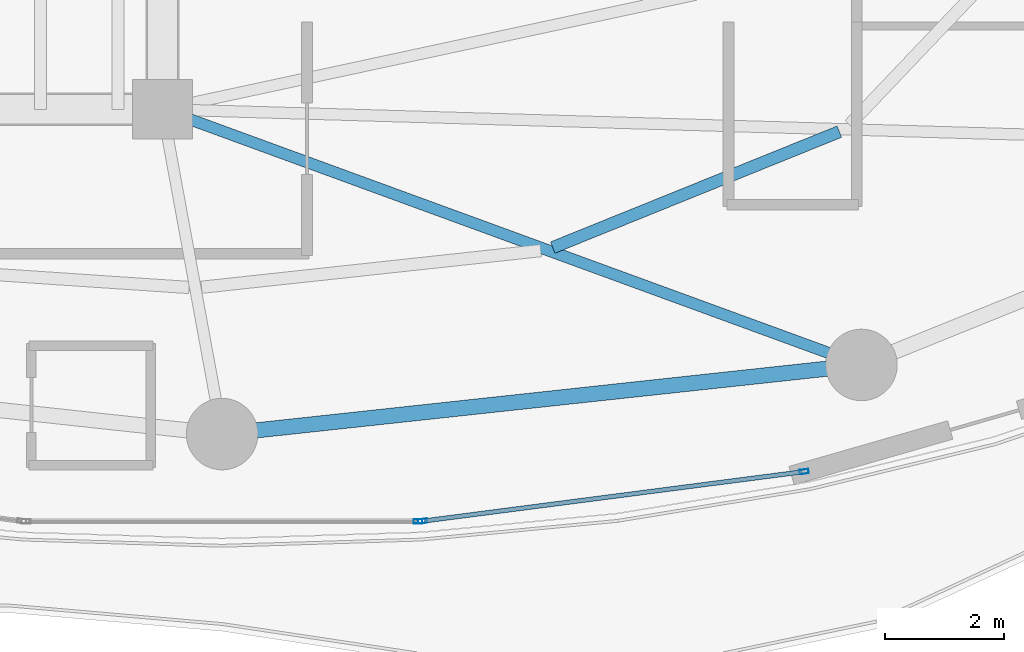
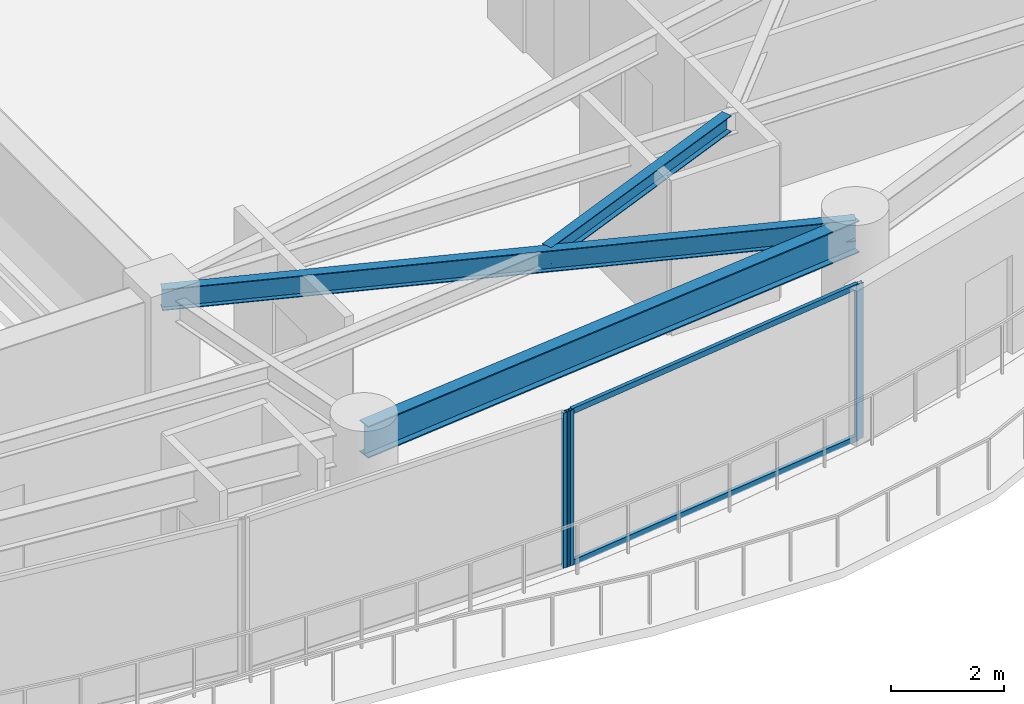
# One storey, part 9 of 28: 5 members, 3 beams, 2 elements without a shape of their own.
"""IFC4 building model written with IfcOpenShell, lengths in metres."""

import ifcopenshell
import ifcopenshell.guid

model = None  # the IFC model being written
_history = None  # IfcOwnerHistory: only IFC2X3 demands one
_inside = {}  # id of a spatial element -> (the spatial element, [elements in it])
_under = {}  # id of a project, library or spatial element -> (it, [spatial elements below it])
_declared = {}  # id of a project -> (the project, [libraries it declares])
_typed = {}  # id of a type object -> (the type object, [elements of that type])
_made_of = {}  # id of a material, layer set ... -> (it, [elements and type objects made of it])


def new_model(schema):
    """Start an empty IFC model of exactly this schema.

    Asked for "IFC4X3", IfcOpenShell would pick the latest addendum, in which some entities
    have other attributes; the version numbers below select the first issue.
    IFC2X3 requires an IfcOwnerHistory on every rooted entity: one is made here for all.
    """
    global model, _history
    if schema == "IFC4X3":
        model = ifcopenshell.file(schema_version=(4, 3, 0, 0))
    else:
        model = ifcopenshell.file(schema=schema)
    _inside.clear()
    _under.clear()
    _declared.clear()
    _typed.clear()
    _made_of.clear()
    _history = None
    if model.schema == "IFC2X3":
        org = make("IfcOrganization", Name="unknown")
        user = make(
            "IfcPersonAndOrganization",
            ThePerson=make("IfcPerson", FamilyName="unknown"),
            TheOrganization=org,
        )
        app = make(
            "IfcApplication",
            ApplicationDeveloper=org,
            Version="unknown",
            ApplicationFullName="unknown",
            ApplicationIdentifier="unknown",
        )
        _history = make(
            "IfcOwnerHistory",
            OwningUser=user,
            OwningApplication=app,
            ChangeAction="ADDED",
            CreationDate=0,
        )
    return model


def make(cls, **values):
    """One entity of the class cls with the attributes given. An attribute that is None is left unset."""
    return model.create_entity(
        cls, **{name: value for name, value in values.items() if value is not None}
    )


def rooted(cls, **values):
    """An entity with a GlobalId (a new one), such as an element, a storey or a relation."""
    return make(cls, GlobalId=ifcopenshell.guid.new(), OwnerHistory=_history, **values)


def si_unit(unit_type, name, prefix=None):
    """IfcSIUnit, for example si_unit("LENGTHUNIT", "METRE", prefix="MILLI")."""
    return make("IfcSIUnit", UnitType=unit_type, Prefix=prefix, Name=name)


def assignment(units):
    """IfcUnitAssignment: the units of a project."""
    return None if units is None else make("IfcUnitAssignment", Units=units)


def point(xyz):
    """IfcCartesianPoint."""
    return None if xyz is None else make("IfcCartesianPoint", Coordinates=xyz)


def direction(xyz):
    """IfcDirection."""
    return None if xyz is None else make("IfcDirection", DirectionRatios=xyz)


def frame(location, z_axis=None, x_axis=None):
    """IfcAxis2Placement3D, a coordinate frame: its origin and axes. An axis left out is left unset."""
    return make(
        "IfcAxis2Placement3D",
        Location=point(location),
        Axis=direction(z_axis),
        RefDirection=direction(x_axis),
    )


def frame_2d(location, x_axis=None):
    """IfcAxis2Placement2D, a coordinate frame in the plane: its origin and x axis."""
    return make(
        "IfcAxis2Placement2D", Location=point(location), RefDirection=direction(x_axis)
    )


def origin():
    """The frame at (0, 0, 0) with its axes left unset."""
    return frame((0.0, 0.0, 0.0))


def origin_2d():
    """The frame at (0, 0) in the plane with its x axis left unset."""
    return frame_2d((0.0, 0.0))


def place(relative_to, where):
    """IfcLocalPlacement: puts the frame where relative to a parent placement (None: the world)."""
    return make(
        "IfcLocalPlacement", PlacementRelTo=relative_to, RelativePlacement=where
    )


def context(
    kind, dimensions, precision=None, world=None, true_north=None, identifier=None
):
    """IfcGeometricRepresentationContext, for example the 3D "Model" context."""
    return make(
        "IfcGeometricRepresentationContext",
        ContextIdentifier=identifier,
        ContextType=kind,
        CoordinateSpaceDimension=dimensions,
        Precision=precision,
        WorldCoordinateSystem=world,
        TrueNorth=true_north,
    )


def subcontext(parent, identifier, kind, view, scale=None):
    """IfcGeometricRepresentationSubContext, for example "Body" below "Model"."""
    return make(
        "IfcGeometricRepresentationSubContext",
        ContextIdentifier=identifier,
        ContextType=kind,
        ParentContext=parent,
        TargetScale=scale,
        TargetView=view,
    )


def project(units=None, contexts=None):
    """IfcProject with its units and contexts."""
    return rooted(
        "IfcProject",
        Name="project",
        RepresentationContexts=contexts,
        UnitsInContext=assignment(units),
    )


def spatial(cls, under=None, at=None, **own):
    """A site, building, storey or space (cls), placed at a placement, below another one or the project."""
    s = rooted(cls, ObjectPlacement=at, **own)
    if under is not None:
        _under.setdefault(under.id(), (under, []))[1].append(s)
    return s


def profile(cls, at=None, kind="AREA", **sizes):
    """A parametric profile (cls). Its sizes go by their IFC names, for example OverallWidth=200.0."""
    return make(cls, ProfileType=kind, Position=at, **sizes)


def hollow_rectangle(**sizes):
    """IfcRectangleHollowProfileDef."""
    return profile("IfcRectangleHollowProfileDef", **sizes)


def i_section(**sizes):
    """IfcIShapeProfileDef."""
    return profile("IfcIShapeProfileDef", **sizes)


def extrude(swept, where, along, depth):
    """IfcExtrudedAreaSolid: the profile swept, set in the frame where, extruded along a direction by depth."""
    return make(
        "IfcExtrudedAreaSolid",
        SweptArea=swept,
        Position=where,
        ExtrudedDirection=direction(along),
        Depth=depth,
    )


def shape(context_of_items, identifier, shape_type, items):
    """IfcShapeRepresentation: the items that make up one representation, for example the "Body"."""
    return make(
        "IfcShapeRepresentation",
        ContextOfItems=context_of_items,
        RepresentationIdentifier=identifier,
        RepresentationType=shape_type,
        Items=items,
    )


def material(Name=None, Category=None):
    """IfcMaterial."""
    return make("IfcMaterial", Name=Name, Category=Category)


def layer(
    of_material, thickness, ventilated=None, Name=None, Category=None, Priority=None
):
    """IfcMaterialLayer: one layer of a wall or slab, of a material (None: an air gap)."""
    return make(
        "IfcMaterialLayer",
        Material=of_material,
        LayerThickness=thickness,
        IsVentilated=ventilated,
        Name=Name,
        Category=Category,
        Priority=Priority,
    )


def layer_set(layers, Name=None):
    """IfcMaterialLayerSet."""
    return make("IfcMaterialLayerSet", MaterialLayers=layers, LayerSetName=Name)


def material_profile(
    of_material, cross_section, Name=None, Category=None, Priority=None
):
    """IfcMaterialProfile: a cross section and its material."""
    return make(
        "IfcMaterialProfile",
        Name=Name,
        Material=of_material,
        Profile=cross_section,
        Priority=Priority,
        Category=Category,
    )


def profile_set(profiles, Name=None, composite=None):
    """IfcMaterialProfileSet."""
    return make(
        "IfcMaterialProfileSet",
        Name=Name,
        MaterialProfiles=profiles,
        CompositeProfile=composite,
    )


def made_of(thing, what):
    """Note that an element or type object is made of a material, layer set ...; save() writes the relation."""
    if what is not None:
        _made_of.setdefault(what.id(), (what, []))[1].append(thing)
    return thing


def type_object(cls, material=None, **own):
    """A type object (cls), such as IfcWallType, which elements share."""
    return made_of(rooted(cls, **own), material)


def element(
    cls,
    number,
    at=None,
    inside=None,
    cuts=None,
    type_object=None,
    material=None,
    context=None,
    identifier="Body",
    shape_type=None,
    held_by="IfcProductDefinitionShape",
    body=None,
    shapes=None,
    **own,
):
    """One element of the class cls, such as IfcWall. Its Tag is "e" and its number.

    at: its placement. inside: the storey or other place that contains it. cuts: it is an
    opening in that element (IfcRelVoidsElement). A single representation is given by context,
    identifier, shape_type and body (its items); several are given by shapes. held_by: the class
    of the entity that holds the representations. save() writes the other relations.
    """
    e = rooted(cls, Tag="e%d" % number, ObjectPlacement=at, **own)
    if body is not None:
        shapes = [shape(context, identifier, shape_type, body)]
    if shapes is not None:
        e.Representation = make(held_by, Representations=shapes)
    if inside is not None:
        _inside.setdefault(inside.id(), (inside, []))[1].append(e)
    if cuts is not None:
        rooted(
            "IfcRelVoidsElement", RelatingBuildingElement=cuts, RelatedOpeningElement=e
        )
    if type_object is not None:
        _typed.setdefault(type_object.id(), (type_object, []))[1].append(e)
    return made_of(e, material)


def aggregate(whole, parts):
    """IfcRelAggregates: a whole, such as a stair, and the parts it consists of."""
    return rooted("IfcRelAggregates", RelatingObject=whole, RelatedObjects=parts)


def save(model, path):
    """Write the relations noted so far, then the file.

    IfcRelAggregates (storeys below a building ...), IfcRelContainedInSpatialStructure (elements
    in a storey), IfcRelDefinesByType, IfcRelAssociatesMaterial and IfcRelDeclares: one each for
    every whole, place, type object, material and project.
    """
    for whole, parts in _under.values():
        aggregate(whole, parts)
    for where, things in _inside.values():
        rooted(
            "IfcRelContainedInSpatialStructure",
            RelatedElements=things,
            RelatingStructure=where,
        )
    for kind, things in _typed.values():
        rooted("IfcRelDefinesByType", RelatedObjects=things, RelatingType=kind)
    for what, things in _made_of.values():
        rooted("IfcRelAssociatesMaterial", RelatedObjects=things, RelatingMaterial=what)
    for by, libraries in _declared.values():
        rooted("IfcRelDeclares", RelatingContext=by, RelatedDefinitions=libraries)
    model.write(path)


model = new_model("IFC4")

# Units and contexts
model_context = context("Model", 3, precision=1e-05, world=origin(), true_north=direction((0.0, 1.0)))
body_context = subcontext(model_context, "Body", "Model", "MODEL_VIEW")
ifc_project = project(units=[si_unit("LENGTHUNIT", "METRE"), si_unit("AREAUNIT", "SQUARE_METRE"), si_unit("VOLUMEUNIT", "CUBIC_METRE"), si_unit("PLANEANGLEUNIT", "RADIAN"), si_unit("MASSUNIT", "GRAM", prefix="KILO")], contexts=[model_context])

# Site, building, storey
site_placement = place(None, origin())
site = spatial("IfcSite", under=ifc_project, at=site_placement, CompositionType="ELEMENT")
building_placement = place(site_placement, origin())
building = spatial("IfcBuilding", under=site, at=building_placement, Name="Kazevale Care Tower and Concert Hall", CompositionType="ELEMENT")
storey_placement = place(building_placement, frame((0.0, 0.0, 106.199951171875)))
storey = spatial("IfcBuildingStorey", under=building, at=storey_placement, Name="L27", CompositionType="ELEMENT", Elevation=106.199951171875)

# Curtain wall, members
ifc_material_1 = material(Name="Aluminium 6063-T6 and Low-E Glass", Category="aluminium")
ifc_layer = layer(ifc_material_1, 0.179931640625)
ifc_layer_set = layer_set([ifc_layer], Name="Aluminium 6063-T6 and Low-E Glass")
curtain_wall_type = type_object("IfcCurtainWallType", Name="Sheltered Concave Balcony Curtain Wall CW-5", PredefinedType="NOTDEFINED", material=ifc_layer_set)
curtain_wall_1_placement = place(storey_placement, origin())
curtain_wall_1 = element("IfcCurtainWall", 1, at=curtain_wall_1_placement, inside=storey, type_object=curtain_wall_type, Name="cw:L27:f05", PredefinedType="NOTDEFINED")
ifc_material_2 = material(Name="Aluminium 6063-T6", Category="aluminium")
ifc_material_profile_1 = material_profile(ifc_material_2, hollow_rectangle(XDim=0.074951171875, YDim=0.14990234375, WallThickness=0.00390625, at=origin_2d()), Name="ALU75x150x4")
ifc_profile_set_1 = profile_set([ifc_material_profile_1], Name="Aluminium 6063-T6")
member_type_1 = type_object("IfcMemberType", Name="CW-5 Mullion ALU75x150x4", PredefinedType="MULLION", material=ifc_profile_set_1)
member_1_placement = place(storey_placement, frame((54.768798828125, 17.520263671875, 0.0), z_axis=(0.0, 0.0, 1.0), x_axis=(0.12868500567, -0.991685519364, 0.0)))
member_1 = element("IfcMember", 2, at=member_1_placement, type_object=member_type_1, Name="CW-5 mullion 1", PredefinedType="MULLION", context=body_context, shape_type="SweptSolid", body=[
    extrude(hollow_rectangle(XDim=0.074951171875, YDim=0.14990234375, WallThickness=0.00390625, at=origin_2d()), origin(), (0.0, 0.0, 1.0), 3.360107421875),
])
member_2_placement = place(storey_placement, frame((48.3623046875, 16.688720703125, 0.0), z_axis=(0.0, 0.0, 1.0), x_axis=(0.12868500567, -0.991685519364, 0.0)))
member_2 = element("IfcMember", 3, at=member_2_placement, type_object=member_type_1, Name="CW-5 mullion 2", PredefinedType="MULLION", context=body_context, shape_type="SweptSolid", body=[
    extrude(hollow_rectangle(XDim=0.074951171875, YDim=0.14990234375, WallThickness=0.00390625, at=origin_2d()), origin(), (0.0, 0.0, 1.0), 3.360107421875),
])

# Curtain wall, member
curtain_wall_2_placement = place(storey_placement, origin())
curtain_wall_2 = element("IfcCurtainWall", 4, at=curtain_wall_2_placement, inside=storey, type_object=curtain_wall_type, Name="cw:L27:f06", PredefinedType="NOTDEFINED")
member_3_placement = place(storey_placement, frame((48.28759765625, 16.68408203125, 0.0), z_axis=(0.0, 0.0, 1.0), x_axis=(0.0, -1.0, 0.0)))
member_3 = element("IfcMember", 5, at=member_3_placement, type_object=member_type_1, Name="CW-5 mullion 1", PredefinedType="MULLION", context=body_context, shape_type="SweptSolid", body=[
    extrude(hollow_rectangle(XDim=0.074951171875, YDim=0.14990234375, WallThickness=0.00390625, at=origin_2d()), origin(), (0.0, 0.0, 1.0), 3.360107421875),
])
aggregate(curtain_wall_2, [member_3])

# Member
ifc_material_profile_2 = material_profile(ifc_material_2, hollow_rectangle(XDim=0.074951171875, YDim=0.1201171875, WallThickness=0.00390625, at=origin_2d()), Name="ALU75x120x4")
ifc_profile_set_2 = profile_set([ifc_material_profile_2], Name="Aluminium 6063-T6")
member_type_2 = type_object("IfcMemberType", Name="CW-5 Transom ALU75x120x4", PredefinedType="USERDEFINED", material=ifc_profile_set_2)
member_4_placement = place(storey_placement, frame((54.731689453125, 17.515380859375, 0.03759765625), z_axis=(-0.991683991743, -0.12869677743, 0.0), x_axis=(0.12869677743, -0.991683991743, 0.0)))
member_4 = element("IfcMember", 6, at=member_4_placement, type_object=member_type_2, Name="CW-5 transom 1.1", ObjectType="TRANSOM", PredefinedType="USERDEFINED", context=body_context, shape_type="SweptSolid", body=[
    extrude(hollow_rectangle(XDim=0.074951171875, YDim=0.1201171875, WallThickness=0.00390625, at=origin_2d()), origin(), (0.0, 0.0, 1.0), 6.385498046875),
])

member_5_placement = place(storey_placement, frame((54.731689453125, 17.515380859375, 3.322509765625), z_axis=(-0.991683991743, -0.12869677743, 0.0), x_axis=(0.12869677743, -0.991683991743, 0.0)))
member_5 = element("IfcMember", 7, at=member_5_placement, type_object=member_type_2, Name="CW-5 transom 1.2", ObjectType="TRANSOM", PredefinedType="USERDEFINED", context=body_context, shape_type="SweptSolid", body=[
    extrude(hollow_rectangle(XDim=0.074951171875, YDim=0.1201171875, WallThickness=0.00390625, at=origin_2d()), origin(), (0.0, 0.0, 1.0), 6.385498046875),
])

aggregate(curtain_wall_1, [member_1, member_2, member_4, member_5])

# Beams
ifc_material_3 = material(Name="Steel ASTM A572 Gr 50", Category="steel")
ifc_material_profile_3 = material_profile(ifc_material_3, i_section(OverallWidth=0.19091796875, OverallDepth=0.4599609375, WebThickness=0.010009765625, FlangeThickness=0.01611328125, at=origin_2d()), Name="W460x82")
ifc_profile_set_3 = profile_set([ifc_material_profile_3], Name="Steel ASTM A572 Gr 50")
beam_type_1 = type_object("IfcBeamType", Name="Radial Floor Beam W460x82", PredefinedType="BEAM", material=ifc_profile_set_3)
beam_1_placement = place(storey_placement, frame((44.0, 23.60009765625, 3.130126953125), z_axis=(0.939159459123, -0.343481455599, 0.0), x_axis=(0.343481455599, 0.939159459123, 0.0)))
element("IfcBeam", 8, at=beam_1_placement, inside=storey, type_object=beam_type_1, Name="beam:L27:rad:14", PredefinedType="BEAM", context=body_context, shape_type="SweptSolid", body=[
    extrude(i_section(OverallWidth=0.19091796875, OverallDepth=0.4599609375, WebThickness=0.010009765625, FlangeThickness=0.01611328125, at=origin_2d()), origin(), (0.0, 0.0, 1.0), 12.489990234375),
])
ifc_material_profile_4 = material_profile(ifc_material_3, i_section(OverallWidth=0.205078125, OverallDepth=0.35400390625, WebThickness=0.009521484375, FlangeThickness=0.016845703125, at=origin_2d()), Name="W360x79")
ifc_profile_set_4 = profile_set([ifc_material_profile_4], Name="Steel ASTM A572 Gr 50")
beam_type_2 = type_object("IfcBeamType", Name="Secondary Floor Joist W360x79", PredefinedType="JOIST", material=ifc_profile_set_4)
beam_2_placement = place(storey_placement, frame((50.549072265625, 21.280029296875, 3.18310546875), z_axis=(0.927064833216, 0.374901046964, 0.0), x_axis=(-0.374901046964, 0.927064833216, 0.0)))
element("IfcBeam", 9, at=beam_2_placement, inside=storey, type_object=beam_type_2, Name="beam:L27:joist:14", PredefinedType="JOIST", context=body_context, shape_type="SweptSolid", body=[
    extrude(i_section(OverallWidth=0.205078125, OverallDepth=0.35400390625, WebThickness=0.009521484375, FlangeThickness=0.016845703125, at=origin_2d()), origin(), (0.0, 0.0, 1.0), 5.188232421875),
])
ifc_material_profile_5 = material_profile(ifc_material_3, i_section(OverallWidth=0.256103515625, OverallDepth=0.693115234375, WebThickness=0.014404296875, FlangeThickness=0.023681640625, at=origin_2d()), Name="W690x170")
ifc_profile_set_5 = profile_set([ifc_material_profile_5], Name="Steel ASTM A572 Gr 50")
beam_type_3 = type_object("IfcBeamType", Name="Waist Ring Beam W690x170", PredefinedType="BEAM", material=ifc_profile_set_5)
beam_3_placement = place(storey_placement, frame((45.0, 18.14990234375, 3.013427734375), z_axis=(0.994205479487, 0.107496346724, 0.0), x_axis=(-0.107496346724, 0.994205479487, 0.0)))
element("IfcBeam", 10, at=beam_3_placement, inside=storey, type_object=beam_type_3, Name="beam:L27:ring:13", PredefinedType="BEAM", context=body_context, shape_type="SweptSolid", body=[
    extrude(i_section(OverallWidth=0.256103515625, OverallDepth=0.693115234375, WebThickness=0.014404296875, FlangeThickness=0.023681640625, at=origin_2d()), origin(), (0.0, 0.0, 1.0), 10.79248046875),
])

save(model, "model.ifc")
